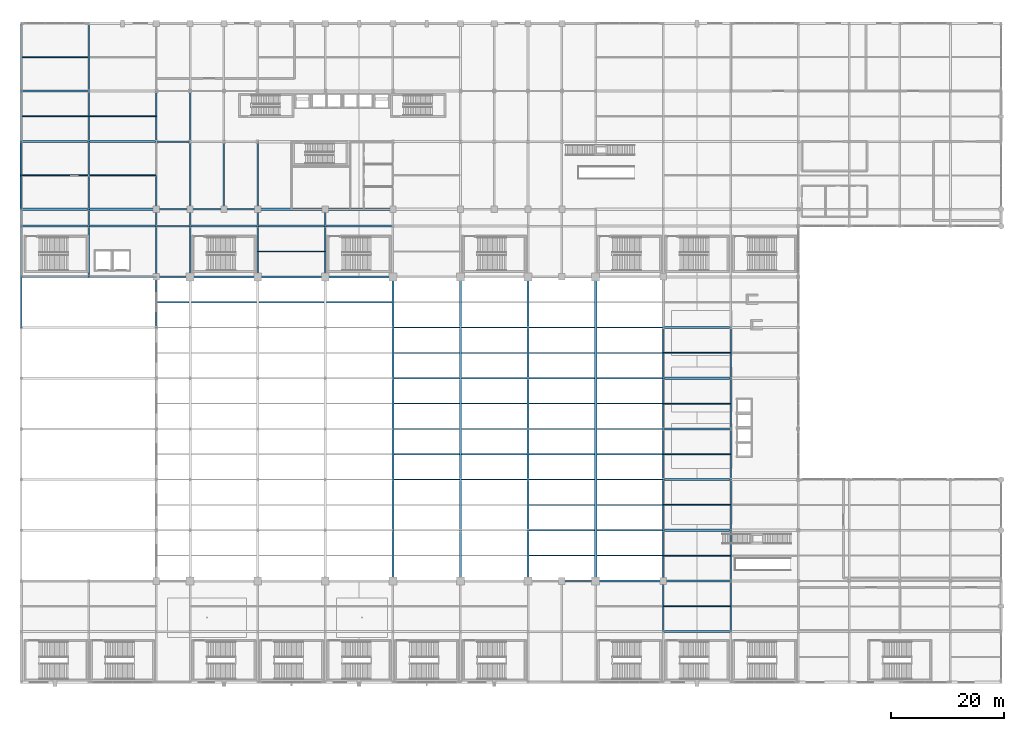
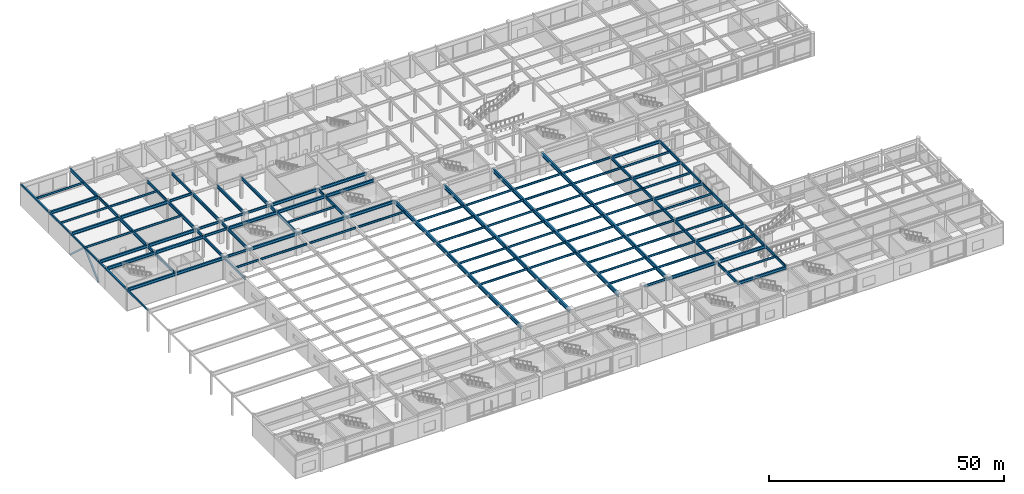
# One storey, part 28 of 105: 124 beams, 2 members.
"""IFC4 building model written with IfcOpenShell, lengths in metres."""

from ifc_helpers import new_model, si_unit, direction, frame, origin, origin_2d, place, context, subcontext, project, spatial, hollow_rectangle, i_section, extrude, material, material_profile, profile_set, type_object, element, save


model = new_model("IFC4")

# Units and contexts
model_context = context("Model", 3, precision=1e-05, world=origin(), true_north=direction((0.0, 1.0)))
body_context = subcontext(model_context, "Body", "Model", "MODEL_VIEW")
ifc_project = project(units=[si_unit("LENGTHUNIT", "METRE"), si_unit("AREAUNIT", "SQUARE_METRE"), si_unit("VOLUMEUNIT", "CUBIC_METRE"), si_unit("PLANEANGLEUNIT", "RADIAN"), si_unit("MASSUNIT", "GRAM", prefix="KILO")], contexts=[model_context])

# Site, building, storey
site_placement = place(None, origin())
site = spatial("IfcSite", under=ifc_project, at=site_placement, CompositionType="ELEMENT")
building_placement = place(site_placement, origin())
building = spatial("IfcBuilding", under=site, at=building_placement, Name="Kaldorvane Square Convention Centre", CompositionType="ELEMENT")
storey_placement = place(building_placement, frame((0.0, 0.0, 6.0)))
storey = spatial("IfcBuildingStorey", under=building, at=storey_placement, Name="L01", CompositionType="ELEMENT", Elevation=6.0)

# Beams
ifc_material_1 = material(Name="Steel ASTM A992 Gr. 50", Category="steel")
ifc_material_profile_1 = material_profile(ifc_material_1, i_section(OverallWidth=0.2303009033203125, OverallDepth=0.61749267578125, WebThickness=0.0131072998046875, FlangeThickness=0.0222015380859375, FilletRadius=0.0126953125, at=origin_2d()), Name="W24X94")
ifc_profile_set_1 = profile_set([ifc_material_profile_1], Name="Steel ASTM A992 Gr. 50")
beam_type_1 = type_object("IfcBeamType", Name="BM-GR-W24X94", PredefinedType="BEAM", material=ifc_profile_set_1)
for number, where, z_axis, x_axis, name in (
    (1, (96.0, 18.0, 5.3672943115234375), (1.0, 0.0, 0.0), (0.0, 1.0, 0.0), "Primary Girder (L01)"),
    (2, (24.0, 72.0, 5.3672943115234375), (1.0, 0.0, 0.0), (0.0, 1.0, 0.0), "Primary Girder (L01)"),
    (3, (24.0, 81.0, 5.3672943115234375), (1.0, 0.0, 0.0), (0.0, 1.0, 0.0), "Primary Girder (L01)"),
    (4, (24.0, 84.0, 5.3672943115234375), (1.0, 0.0, 0.0), (0.0, 1.0, 0.0), "Primary Girder (L01)"),
    (5, (30.0, 84.0, 5.3672943115234375), (1.0, 0.0, 0.0), (0.0, 1.0, 0.0), "Primary Girder (L01)"),
    (6, (36.0, 84.0, 5.3672943115234375), (1.0, 0.0, 0.0), (0.0, 1.0, 0.0), "Primary Girder (L01)"),
    (7, (24.0, 96.0, 5.3672943115234375), (1.0, 0.0, 0.0), (0.0, 1.0, 0.0), "Primary Girder (L01)"),
):
    element("IfcBeam", number, at=place(storey_placement, frame(where, z_axis=z_axis, x_axis=x_axis)), inside=storey, type_object=beam_type_1, Name=name, PredefinedType="BEAM", context=body_context, shape_type="SweptSolid", body=[
        extrude(i_section(OverallWidth=0.2303009033203125, OverallDepth=0.61749267578125, WebThickness=0.0131072998046875, FlangeThickness=0.0222015380859375, FilletRadius=0.0126953125, at=origin_2d()), origin(), (0.0, 0.0, 1.0), 6.0),
    ])
ifc_material_profile_2 = material_profile(ifc_material_1, i_section(OverallWidth=0.2666015625, OverallDepth=0.762298583984375, WebThickness=0.014404296875, FlangeThickness=0.0216064453125, FilletRadius=0.0164947509765625, at=origin_2d()), Name="W30X116")
ifc_profile_set_2 = profile_set([ifc_material_profile_2], Name="Steel ASTM A992 Gr. 50")
beam_type_2 = type_object("IfcBeamType", Name="BM-GR-W30X116", PredefinedType="BEAM", material=ifc_profile_set_2)
beam_1_placement = place(storey_placement, frame((12.0, 72.0, 5.2949066162109375), z_axis=(0.0, 1.0, 0.0), x_axis=(-1.0, 0.0, 0.0)))
element("IfcBeam", 8, at=beam_1_placement, inside=storey, type_object=beam_type_2, Name="Transverse Girder (L01)", PredefinedType="BEAM", context=body_context, shape_type="SweptSolid", body=[
    extrude(i_section(OverallWidth=0.2666015625, OverallDepth=0.762298583984375, WebThickness=0.014404296875, FlangeThickness=0.0216064453125, FilletRadius=0.0164947509765625, at=origin_2d()), origin(), (0.0, 0.0, 1.0), 9.0),
])
beam_2_placement = place(storey_placement, frame((12.0, 81.0, 5.2949066162109375), z_axis=(0.0, 1.0, 0.0), x_axis=(-1.0, 0.0, 0.0)))
element("IfcBeam", 9, at=beam_2_placement, inside=storey, type_object=beam_type_2, Name="Transverse Girder (L01)", PredefinedType="BEAM", context=body_context, shape_type="SweptSolid", body=[
    extrude(i_section(OverallWidth=0.2666015625, OverallDepth=0.762298583984375, WebThickness=0.014404296875, FlangeThickness=0.0216064453125, FilletRadius=0.0164947509765625, at=origin_2d()), origin(), (0.0, 0.0, 1.0), 3.0),
])
for number, where, z_axis, x_axis, name in (
    (10, (12.0, 96.0, 5.2949066162109375), (0.0, 1.0, 0.0), (-1.0, 0.0, 0.0), "Transverse Girder (L01)"),
    (11, (24.0, 63.0, 5.2949066162109375), (0.0, 1.0, 0.0), (-1.0, 0.0, 0.0), "Transverse Girder (L01)"),
    (12, (24.0, 72.0, 5.2949066162109375), (0.0, 1.0, 0.0), (-1.0, 0.0, 0.0), "Transverse Girder (L01)"),
):
    element("IfcBeam", number, at=place(storey_placement, frame(where, z_axis=z_axis, x_axis=x_axis)), inside=storey, type_object=beam_type_2, Name=name, PredefinedType="BEAM", context=body_context, shape_type="SweptSolid", body=[
        extrude(i_section(OverallWidth=0.2666015625, OverallDepth=0.762298583984375, WebThickness=0.014404296875, FlangeThickness=0.0216064453125, FilletRadius=0.0164947509765625, at=origin_2d()), origin(), (0.0, 0.0, 1.0), 9.0),
    ])
beam_3_placement = place(storey_placement, frame((24.0, 81.0, 5.2949066162109375), z_axis=(0.0, 1.0, 0.0), x_axis=(-1.0, 0.0, 0.0)))
element("IfcBeam", 13, at=beam_3_placement, inside=storey, type_object=beam_type_2, Name="Transverse Girder (L01)", PredefinedType="BEAM", context=body_context, shape_type="SweptSolid", body=[
    extrude(i_section(OverallWidth=0.2666015625, OverallDepth=0.762298583984375, WebThickness=0.014404296875, FlangeThickness=0.0216064453125, FilletRadius=0.0164947509765625, at=origin_2d()), origin(), (0.0, 0.0, 1.0), 3.0),
])
for number, where, z_axis, x_axis, name in (
    (14, (24.0, 96.0, 5.2949066162109375), (0.0, 1.0, 0.0), (-1.0, 0.0, 0.0), "Transverse Girder (L01)"),
    (15, (30.0, 72.0, 5.2949066162109375), (0.0, 1.0, 0.0), (-1.0, 0.0, 0.0), "Transverse Girder (L01)"),
):
    element("IfcBeam", number, at=place(storey_placement, frame(where, z_axis=z_axis, x_axis=x_axis)), inside=storey, type_object=beam_type_2, Name=name, PredefinedType="BEAM", context=body_context, shape_type="SweptSolid", body=[
        extrude(i_section(OverallWidth=0.2666015625, OverallDepth=0.762298583984375, WebThickness=0.014404296875, FlangeThickness=0.0216064453125, FilletRadius=0.0164947509765625, at=origin_2d()), origin(), (0.0, 0.0, 1.0), 9.0),
    ])
beam_4_placement = place(storey_placement, frame((30.0, 81.0, 5.2949066162109375), z_axis=(0.0, 1.0, 0.0), x_axis=(-1.0, 0.0, 0.0)))
element("IfcBeam", 16, at=beam_4_placement, inside=storey, type_object=beam_type_2, Name="Transverse Girder (L01)", PredefinedType="BEAM", context=body_context, shape_type="SweptSolid", body=[
    extrude(i_section(OverallWidth=0.2666015625, OverallDepth=0.762298583984375, WebThickness=0.014404296875, FlangeThickness=0.0216064453125, FilletRadius=0.0164947509765625, at=origin_2d()), origin(), (0.0, 0.0, 1.0), 3.0),
])
for number, where, z_axis, x_axis, name in (
    (17, (30.0, 96.0, 5.2949066162109375), (0.0, 1.0, 0.0), (-1.0, 0.0, 0.0), "Transverse Girder (L01)"),
    (18, (42.0, 72.0, 5.2949066162109375), (0.0, 1.0, 0.0), (-1.0, 0.0, 0.0), "Transverse Girder (L01)"),
):
    element("IfcBeam", number, at=place(storey_placement, frame(where, z_axis=z_axis, x_axis=x_axis)), inside=storey, type_object=beam_type_2, Name=name, PredefinedType="BEAM", context=body_context, shape_type="SweptSolid", body=[
        extrude(i_section(OverallWidth=0.2666015625, OverallDepth=0.762298583984375, WebThickness=0.014404296875, FlangeThickness=0.0216064453125, FilletRadius=0.0164947509765625, at=origin_2d()), origin(), (0.0, 0.0, 1.0), 9.0),
    ])
beam_5_placement = place(storey_placement, frame((42.0, 81.0, 5.2949066162109375), z_axis=(0.0, 1.0, 0.0), x_axis=(-1.0, 0.0, 0.0)))
element("IfcBeam", 19, at=beam_5_placement, inside=storey, type_object=beam_type_2, Name="Transverse Girder (L01)", PredefinedType="BEAM", context=body_context, shape_type="SweptSolid", body=[
    extrude(i_section(OverallWidth=0.2666015625, OverallDepth=0.762298583984375, WebThickness=0.014404296875, FlangeThickness=0.0216064453125, FilletRadius=0.0164947509765625, at=origin_2d()), origin(), (0.0, 0.0, 1.0), 3.0),
])
beam_6_placement = place(storey_placement, frame((54.0, 72.0, 5.2949066162109375), z_axis=(0.0, 1.0, 0.0), x_axis=(-1.0, 0.0, 0.0)))
element("IfcBeam", 20, at=beam_6_placement, inside=storey, type_object=beam_type_2, Name="Transverse Girder (L01)", PredefinedType="BEAM", context=body_context, shape_type="SweptSolid", body=[
    extrude(i_section(OverallWidth=0.2666015625, OverallDepth=0.762298583984375, WebThickness=0.014404296875, FlangeThickness=0.0216064453125, FilletRadius=0.0164947509765625, at=origin_2d()), origin(), (0.0, 0.0, 1.0), 9.0),
])
beam_7_placement = place(storey_placement, frame((54.0, 81.0, 5.2949066162109375), z_axis=(0.0, 1.0, 0.0), x_axis=(-1.0, 0.0, 0.0)))
element("IfcBeam", 21, at=beam_7_placement, inside=storey, type_object=beam_type_2, Name="Transverse Girder (L01)", PredefinedType="BEAM", context=body_context, shape_type="SweptSolid", body=[
    extrude(i_section(OverallWidth=0.2666015625, OverallDepth=0.762298583984375, WebThickness=0.014404296875, FlangeThickness=0.0216064453125, FilletRadius=0.0164947509765625, at=origin_2d()), origin(), (0.0, 0.0, 1.0), 3.0),
])
for number, where, z_axis, x_axis, name in (
    (22, (114.0, 9.0, 5.2949066162109375), (0.0, 1.0, 0.0), (-1.0, 0.0, 0.0), "Transverse Girder (L01)"),
    (23, (114.0, 18.0, 5.2949066162109375), (0.0, 1.0, 0.0), (-1.0, 0.0, 0.0), "Transverse Girder (L01)"),
    (24, (114.0, 27.0, 5.2949066162109375), (0.0, 1.0, 0.0), (-1.0, 0.0, 0.0), "Transverse Girder (L01)"),
    (25, (114.0, 36.0, 5.2949066162109375), (0.0, 1.0, 0.0), (-1.0, 0.0, 0.0), "Transverse Girder (L01)"),
    (26, (114.0, 45.0, 5.2949066162109375), (0.0, 1.0, 0.0), (-1.0, 0.0, 0.0), "Transverse Girder (L01)"),
    (27, (114.0, 54.0, 5.2949066162109375), (0.0, 1.0, 0.0), (-1.0, 0.0, 0.0), "Transverse Girder (L01)"),
    (28, (126.0, 9.0, 5.2949066162109375), (0.0, 1.0, 0.0), (-1.0, 0.0, 0.0), "Transverse Girder (L01)"),
    (29, (126.0, 18.0, 5.2949066162109375), (0.0, 1.0, 0.0), (-1.0, 0.0, 0.0), "Transverse Girder (L01)"),
    (30, (126.0, 27.0, 5.2949066162109375), (0.0, 1.0, 0.0), (-1.0, 0.0, 0.0), "Transverse Girder (L01)"),
    (31, (126.0, 36.0, 5.2949066162109375), (0.0, 1.0, 0.0), (-1.0, 0.0, 0.0), "Transverse Girder (L01)"),
    (32, (126.0, 45.0, 5.2949066162109375), (0.0, 1.0, 0.0), (-1.0, 0.0, 0.0), "Transverse Girder (L01)"),
    (33, (126.0, 54.0, 5.2949066162109375), (0.0, 1.0, 0.0), (-1.0, 0.0, 0.0), "Transverse Girder (L01)"),
):
    element("IfcBeam", number, at=place(storey_placement, frame(where, z_axis=z_axis, x_axis=x_axis)), inside=storey, type_object=beam_type_2, Name=name, PredefinedType="BEAM", context=body_context, shape_type="SweptSolid", body=[
        extrude(i_section(OverallWidth=0.2666015625, OverallDepth=0.762298583984375, WebThickness=0.014404296875, FlangeThickness=0.0216064453125, FilletRadius=0.0164947509765625, at=origin_2d()), origin(), (0.0, 0.0, 1.0), 9.0),
    ])
ifc_material_profile_3 = material_profile(ifc_material_1, i_section(OverallWidth=0.380706787109375, OverallDepth=0.773193359375, WebThickness=0.0166015625, FlangeThickness=0.027099609375, FilletRadius=0.0164947509765625, at=origin_2d()), Name="W30X173")
ifc_profile_set_3 = profile_set([ifc_material_profile_3], Name="Steel ASTM A992 Gr. 50")
beam_type_3 = type_object("IfcBeamType", Name="BM-GR-W30X173", PredefinedType="BEAM", material=ifc_profile_set_3)
for number, where, z_axis, x_axis, name in (
    (34, (114.0, 9.0, 5.289398193359375), (1.0, 0.0, 0.0), (0.0, 1.0, 0.0), "Primary Girder (L01)"),
    (35, (102.0, 18.0, 5.289398193359375), (1.0, 0.0, 0.0), (0.0, 1.0, 0.0), "Primary Girder (L01)"),
    (36, (114.0, 18.0, 5.289398193359375), (1.0, 0.0, 0.0), (0.0, 1.0, 0.0), "Primary Girder (L01)"),
    (37, (114.0, 27.0, 5.289398193359375), (1.0, 0.0, 0.0), (0.0, 1.0, 0.0), "Primary Girder (L01)"),
    (38, (114.0, 36.0, 5.289398193359375), (1.0, 0.0, 0.0), (0.0, 1.0, 0.0), "Primary Girder (L01)"),
    (39, (114.0, 45.0, 5.289398193359375), (1.0, 0.0, 0.0), (0.0, 1.0, 0.0), "Primary Girder (L01)"),
    (40, (114.0, 54.0, 5.289398193359375), (1.0, 0.0, 0.0), (0.0, 1.0, 0.0), "Primary Girder (L01)"),
    (41, (114.0, 63.0, 5.289398193359375), (1.0, 0.0, 0.0), (0.0, 1.0, 0.0), "Primary Girder (L01)"),
    (42, (0.0, 72.0, 5.289398193359375), (1.0, 0.0, 0.0), (0.0, 1.0, 0.0), "Primary Girder (L01)"),
    (43, (12.0, 72.0, 5.289398193359375), (1.0, 0.0, 0.0), (0.0, 1.0, 0.0), "Primary Girder (L01)"),
    (44, (30.0, 72.0, 5.289398193359375), (1.0, 0.0, 0.0), (0.0, 1.0, 0.0), "Primary Girder (L01)"),
    (45, (42.0, 72.0, 5.289398193359375), (1.0, 0.0, 0.0), (0.0, 1.0, 0.0), "Primary Girder (L01)"),
    (46, (54.0, 72.0, 5.289398193359375), (1.0, 0.0, 0.0), (0.0, 1.0, 0.0), "Primary Girder (L01)"),
    (47, (0.0, 81.0, 5.289398193359375), (1.0, 0.0, 0.0), (0.0, 1.0, 0.0), "Primary Girder (L01)"),
    (48, (12.0, 81.0, 5.289398193359375), (1.0, 0.0, 0.0), (0.0, 1.0, 0.0), "Primary Girder (L01)"),
    (49, (30.0, 81.0, 5.289398193359375), (1.0, 0.0, 0.0), (0.0, 1.0, 0.0), "Primary Girder (L01)"),
    (50, (42.0, 81.0, 5.289398193359375), (1.0, 0.0, 0.0), (0.0, 1.0, 0.0), "Primary Girder (L01)"),
    (51, (54.0, 81.0, 5.289398193359375), (1.0, 0.0, 0.0), (0.0, 1.0, 0.0), "Primary Girder (L01)"),
    (52, (0.0, 84.0, 5.289398193359375), (1.0, 0.0, 0.0), (0.0, 1.0, 0.0), "Primary Girder (L01)"),
    (53, (12.0, 84.0, 5.289398193359375), (1.0, 0.0, 0.0), (0.0, 1.0, 0.0), "Primary Girder (L01)"),
    (54, (42.0, 84.0, 5.289398193359375), (1.0, 0.0, 0.0), (0.0, 1.0, 0.0), "Primary Girder (L01)"),
    (55, (54.0, 84.0, 5.289398193359375), (1.0, 0.0, 0.0), (0.0, 1.0, 0.0), "Primary Girder (L01)"),
    (56, (0.0, 96.0, 5.289398193359375), (1.0, 0.0, 0.0), (0.0, 1.0, 0.0), "Primary Girder (L01)"),
    (57, (12.0, 96.0, 5.289398193359375), (1.0, 0.0, 0.0), (0.0, 1.0, 0.0), "Primary Girder (L01)"),
    (58, (0.0, 105.0, 5.289398193359375), (1.0, 0.0, 0.0), (0.0, 1.0, 0.0), "Primary Girder (L01)"),
):
    element("IfcBeam", number, at=place(storey_placement, frame(where, z_axis=z_axis, x_axis=x_axis)), inside=storey, type_object=beam_type_3, Name=name, PredefinedType="BEAM", context=body_context, shape_type="SweptSolid", body=[
        extrude(i_section(OverallWidth=0.380706787109375, OverallDepth=0.773193359375, WebThickness=0.0166015625, FlangeThickness=0.027099609375, FilletRadius=0.0164947509765625, at=origin_2d()), origin(), (0.0, 0.0, 1.0), 12.0),
    ])
ifc_material_profile_4 = material_profile(ifc_material_1, i_section(OverallWidth=0.292999267578125, OverallDepth=0.845794677734375, WebThickness=0.0153961181640625, FlangeThickness=0.0243988037109375, FilletRadius=0.0178070068359375, at=origin_2d()), Name="W33X141")
ifc_profile_set_4 = profile_set([ifc_material_profile_4], Name="Steel ASTM A992 Gr. 50")
beam_type_4 = type_object("IfcBeamType", Name="BM-GR-W33X141", PredefinedType="BEAM", material=ifc_profile_set_4)
for number, where, z_axis, x_axis, name in (
    (59, (12.0, 84.0, 5.2530975341796875), (0.0, 1.0, 0.0), (-1.0, 0.0, 0.0), "Transverse Girder (L01)"),
    (60, (12.0, 105.0, 5.2530975341796875), (0.0, 1.0, 0.0), (-1.0, 0.0, 0.0), "Transverse Girder (L01)"),
    (61, (24.0, 84.0, 5.2530975341796875), (0.0, 1.0, 0.0), (-1.0, 0.0, 0.0), "Transverse Girder (L01)"),
    (62, (30.0, 84.0, 5.2530975341796875), (0.0, 1.0, 0.0), (-1.0, 0.0, 0.0), "Transverse Girder (L01)"),
    (63, (36.0, 84.0, 5.2530975341796875), (0.0, 1.0, 0.0), (-1.0, 0.0, 0.0), "Transverse Girder (L01)"),
    (64, (42.0, 84.0, 5.2530975341796875), (0.0, 1.0, 0.0), (-1.0, 0.0, 0.0), "Transverse Girder (L01)"),
):
    element("IfcBeam", number, at=place(storey_placement, frame(where, z_axis=z_axis, x_axis=x_axis)), inside=storey, type_object=beam_type_4, Name=name, PredefinedType="BEAM", context=body_context, shape_type="SweptSolid", body=[
        extrude(i_section(OverallWidth=0.292999267578125, OverallDepth=0.845794677734375, WebThickness=0.0153961181640625, FlangeThickness=0.0243988037109375, FilletRadius=0.0178070068359375, at=origin_2d()), origin(), (0.0, 0.0, 1.0), 12.0),
    ])
ifc_material_profile_5 = material_profile(ifc_material_1, i_section(OverallWidth=0.1658935546875, OverallDepth=0.5290985107421875, WebThickness=0.00970458984375, FlangeThickness=0.0135955810546875, FilletRadius=0.0126953125, at=origin_2d()), Name="W21X50")
ifc_profile_set_5 = profile_set([ifc_material_profile_5], Name="Steel ASTM A992 Gr. 50")
beam_type_5 = type_object("IfcBeamType", Name="BM-JS-W21X50", PredefinedType="JOIST", material=ifc_profile_set_5)
for number, where, z_axis, x_axis, name in (
    (65, (114.13330078125, 13.5, 5.4114990234375), (1.0, 0.0, 0.0), (0.0, 1.0, 0.0), "Secondary Floor Joist (L01)"),
    (66, (114.13330078125, 22.5, 5.4114990234375), (1.0, 0.0, 0.0), (0.0, 1.0, 0.0), "Secondary Floor Joist (L01)"),
    (67, (114.13330078125, 31.5, 5.4114990234375), (1.0, 0.0, 0.0), (0.0, 1.0, 0.0), "Secondary Floor Joist (L01)"),
    (68, (114.13330078125, 40.5, 5.4114990234375), (1.0, 0.0, 0.0), (0.0, 1.0, 0.0), "Secondary Floor Joist (L01)"),
    (69, (114.13330078125, 49.5, 5.4114990234375), (1.0, 0.0, 0.0), (0.0, 1.0, 0.0), "Secondary Floor Joist (L01)"),
    (70, (114.13330078125, 58.5, 5.4114990234375), (1.0, 0.0, 0.0), (0.0, 1.0, 0.0), "Secondary Floor Joist (L01)"),
    (71, (42.13330078125, 76.5, 5.4114990234375), (1.0, 0.0, 0.0), (0.0, 1.0, 0.0), "Secondary Floor Joist (L01)"),
):
    element("IfcBeam", number, at=place(storey_placement, frame(where, z_axis=z_axis, x_axis=x_axis)), inside=storey, type_object=beam_type_5, Name=name, PredefinedType="JOIST", context=body_context, shape_type="SweptSolid", body=[
        extrude(i_section(OverallWidth=0.1658935546875, OverallDepth=0.5290985107421875, WebThickness=0.00970458984375, FlangeThickness=0.0135955810546875, FilletRadius=0.0126953125, at=origin_2d()), origin(), (0.0, 0.0, 1.0), 11.7333984375),
    ])
beam_8_placement = place(storey_placement, frame((0.15240478515625, 90.0, 5.4114990234375), z_axis=(1.0, 0.0, 0.0), x_axis=(0.0, 1.0, 0.0)))
element("IfcBeam", 72, at=beam_8_placement, inside=storey, type_object=beam_type_5, Name="Secondary Floor Joist (L01)", PredefinedType="JOIST", context=body_context, shape_type="SweptSolid", body=[
    extrude(i_section(OverallWidth=0.1658935546875, OverallDepth=0.5290985107421875, WebThickness=0.00970458984375, FlangeThickness=0.0135955810546875, FilletRadius=0.0126953125, at=origin_2d()), origin(), (0.0, 0.0, 1.0), 11.701095581054688),
])
beam_9_placement = place(storey_placement, frame((12.146499633789062, 90.0, 5.4114990234375), z_axis=(1.0, 0.0, 0.0), x_axis=(0.0, 1.0, 0.0)))
element("IfcBeam", 73, at=beam_9_placement, inside=storey, type_object=beam_type_5, Name="Secondary Floor Joist (L01)", PredefinedType="JOIST", context=body_context, shape_type="SweptSolid", body=[
    extrude(i_section(OverallWidth=0.1658935546875, OverallDepth=0.5290985107421875, WebThickness=0.00970458984375, FlangeThickness=0.0135955810546875, FilletRadius=0.0126953125, at=origin_2d()), origin(), (0.0, 0.0, 1.0), 11.707000732421875),
])
beam_10_placement = place(storey_placement, frame((0.15240478515625, 100.5, 5.4114990234375), z_axis=(1.0, 0.0, 0.0), x_axis=(0.0, 1.0, 0.0)))
element("IfcBeam", 74, at=beam_10_placement, inside=storey, type_object=beam_type_5, Name="Secondary Floor Joist (L01)", PredefinedType="JOIST", context=body_context, shape_type="SweptSolid", body=[
    extrude(i_section(OverallWidth=0.1658935546875, OverallDepth=0.5290985107421875, WebThickness=0.00970458984375, FlangeThickness=0.0135955810546875, FilletRadius=0.0126953125, at=origin_2d()), origin(), (0.0, 0.0, 1.0), 11.71429443359375),
])
beam_11_placement = place(storey_placement, frame((12.13330078125, 100.5, 5.4114990234375), z_axis=(1.0, 0.0, 0.0), x_axis=(0.0, 1.0, 0.0)))
element("IfcBeam", 75, at=beam_11_placement, inside=storey, type_object=beam_type_5, Name="Secondary Floor Joist (L01)", PredefinedType="JOIST", context=body_context, shape_type="SweptSolid", body=[
    extrude(i_section(OverallWidth=0.1658935546875, OverallDepth=0.5290985107421875, WebThickness=0.00970458984375, FlangeThickness=0.0135955810546875, FilletRadius=0.0126953125, at=origin_2d()), origin(), (0.0, 0.0, 1.0), 11.7333984375),
])
beam_12_placement = place(storey_placement, frame((0.15240478515625, 111.0, 5.4114990234375), z_axis=(1.0, 0.0, 0.0), x_axis=(0.0, 1.0, 0.0)))
element("IfcBeam", 76, at=beam_12_placement, inside=storey, type_object=beam_type_5, Name="Secondary Floor Joist (L01)", PredefinedType="JOIST", context=body_context, shape_type="SweptSolid", body=[
    extrude(i_section(OverallWidth=0.1658935546875, OverallDepth=0.5290985107421875, WebThickness=0.00970458984375, FlangeThickness=0.0135955810546875, FilletRadius=0.0126953125, at=origin_2d()), origin(), (0.0, 0.0, 1.0), 11.701095581054688),
])
ifc_material_profile_6 = material_profile(ifc_material_1, i_section(OverallWidth=0.2100982666015625, OverallDepth=0.5366973876953125, WebThickness=0.010894775390625, FlangeThickness=0.01739501953125, FilletRadius=0.0126953125, at=origin_2d()), Name="W21X68")
ifc_profile_set_6 = profile_set([ifc_material_profile_6], Name="Steel ASTM A992 Gr. 50")
beam_type_6 = type_object("IfcBeamType", Name="BM-JS-W21X68", PredefinedType="JOIST", material=ifc_profile_set_6)
beam_13_placement = place(storey_placement, frame((24.13330078125, 67.5, 5.4076995849609375), z_axis=(1.0, 0.0, 0.0), x_axis=(0.0, 1.0, 0.0)))
element("IfcBeam", 77, at=beam_13_placement, inside=storey, type_object=beam_type_6, Name="Hall Composite Floor Joist (L01)", PredefinedType="JOIST", context=body_context, shape_type="SweptSolid", body=[
    extrude(i_section(OverallWidth=0.2100982666015625, OverallDepth=0.5366973876953125, WebThickness=0.010894775390625, FlangeThickness=0.01739501953125, FilletRadius=0.0126953125, at=origin_2d()), origin(), (0.0, 0.0, 1.0), 5.665802001953125),
])
for number, where, z_axis, x_axis, name in (
    (78, (30.200897216796875, 67.5, 5.4076995849609375), (1.0, 0.0, 0.0), (0.0, 1.0, 0.0), "Hall Composite Floor Joist (L01)"),
    (79, (42.200897216796875, 67.5, 5.4076995849609375), (1.0, 0.0, 0.0), (0.0, 1.0, 0.0), "Hall Composite Floor Joist (L01)"),
):
    element("IfcBeam", number, at=place(storey_placement, frame(where, z_axis=z_axis, x_axis=x_axis)), inside=storey, type_object=beam_type_6, Name=name, PredefinedType="JOIST", context=body_context, shape_type="SweptSolid", body=[
        extrude(i_section(OverallWidth=0.2100982666015625, OverallDepth=0.5366973876953125, WebThickness=0.010894775390625, FlangeThickness=0.01739501953125, FilletRadius=0.0126953125, at=origin_2d()), origin(), (0.0, 0.0, 1.0), 11.59820556640625),
    ])
beam_14_placement = place(storey_placement, frame((54.200897216796875, 67.5, 5.4076995849609375), z_axis=(1.0, 0.0, 0.0), x_axis=(0.0, 1.0, 0.0)))
element("IfcBeam", 80, at=beam_14_placement, inside=storey, type_object=beam_type_6, Name="Hall Composite Floor Joist (L01)", PredefinedType="JOIST", context=body_context, shape_type="SweptSolid", body=[
    extrude(i_section(OverallWidth=0.2100982666015625, OverallDepth=0.5366973876953125, WebThickness=0.010894775390625, FlangeThickness=0.01739501953125, FilletRadius=0.0126953125, at=origin_2d()), origin(), (0.0, 0.0, 1.0), 11.598098754882812),
])
for number, where, z_axis, x_axis, name in (
    (81, (66.20100402832031, 36.0, 5.4076995849609375), (1.0, 0.0, 0.0), (0.0, 1.0, 0.0), "Hall Composite Floor Joist (L01)"),
    (82, (66.20100402832031, 40.5, 5.4076995849609375), (1.0, 0.0, 0.0), (0.0, 1.0, 0.0), "Hall Composite Floor Joist (L01)"),
    (83, (66.20100402832031, 45.0, 5.4076995849609375), (1.0, 0.0, 0.0), (0.0, 1.0, 0.0), "Hall Composite Floor Joist (L01)"),
    (84, (66.20100402832031, 49.5, 5.4076995849609375), (1.0, 0.0, 0.0), (0.0, 1.0, 0.0), "Hall Composite Floor Joist (L01)"),
    (85, (66.20100402832031, 54.0, 5.4076995849609375), (1.0, 0.0, 0.0), (0.0, 1.0, 0.0), "Hall Composite Floor Joist (L01)"),
    (86, (66.20100402832031, 58.5, 5.4076995849609375), (1.0, 0.0, 0.0), (0.0, 1.0, 0.0), "Hall Composite Floor Joist (L01)"),
    (87, (66.20100402832031, 63.0, 5.4076995849609375), (1.0, 0.0, 0.0), (0.0, 1.0, 0.0), "Hall Composite Floor Joist (L01)"),
    (88, (78.20100402832031, 36.0, 5.4076995849609375), (1.0, 0.0, 0.0), (0.0, 1.0, 0.0), "Hall Composite Floor Joist (L01)"),
    (89, (78.20100402832031, 40.5, 5.4076995849609375), (1.0, 0.0, 0.0), (0.0, 1.0, 0.0), "Hall Composite Floor Joist (L01)"),
    (90, (78.20100402832031, 45.0, 5.4076995849609375), (1.0, 0.0, 0.0), (0.0, 1.0, 0.0), "Hall Composite Floor Joist (L01)"),
    (91, (78.20100402832031, 49.5, 5.4076995849609375), (1.0, 0.0, 0.0), (0.0, 1.0, 0.0), "Hall Composite Floor Joist (L01)"),
    (92, (78.20100402832031, 54.0, 5.4076995849609375), (1.0, 0.0, 0.0), (0.0, 1.0, 0.0), "Hall Composite Floor Joist (L01)"),
    (93, (78.20100402832031, 58.5, 5.4076995849609375), (1.0, 0.0, 0.0), (0.0, 1.0, 0.0), "Hall Composite Floor Joist (L01)"),
    (94, (78.20100402832031, 63.0, 5.4076995849609375), (1.0, 0.0, 0.0), (0.0, 1.0, 0.0), "Hall Composite Floor Joist (L01)"),
    (95, (90.20100402832031, 22.5, 5.4076995849609375), (1.0, 0.0, 0.0), (0.0, 1.0, 0.0), "Hall Composite Floor Joist (L01)"),
    (96, (90.20100402832031, 27.0, 5.4076995849609375), (1.0, 0.0, 0.0), (0.0, 1.0, 0.0), "Hall Composite Floor Joist (L01)"),
    (97, (90.20100402832031, 31.5, 5.4076995849609375), (1.0, 0.0, 0.0), (0.0, 1.0, 0.0), "Hall Composite Floor Joist (L01)"),
    (98, (90.20100402832031, 36.0, 5.4076995849609375), (1.0, 0.0, 0.0), (0.0, 1.0, 0.0), "Hall Composite Floor Joist (L01)"),
    (99, (90.20100402832031, 40.5, 5.4076995849609375), (1.0, 0.0, 0.0), (0.0, 1.0, 0.0), "Hall Composite Floor Joist (L01)"),
    (100, (90.20100402832031, 45.0, 5.4076995849609375), (1.0, 0.0, 0.0), (0.0, 1.0, 0.0), "Hall Composite Floor Joist (L01)"),
    (101, (90.20100402832031, 49.5, 5.4076995849609375), (1.0, 0.0, 0.0), (0.0, 1.0, 0.0), "Hall Composite Floor Joist (L01)"),
    (102, (90.20100402832031, 54.0, 5.4076995849609375), (1.0, 0.0, 0.0), (0.0, 1.0, 0.0), "Hall Composite Floor Joist (L01)"),
    (103, (90.20100402832031, 58.5, 5.4076995849609375), (1.0, 0.0, 0.0), (0.0, 1.0, 0.0), "Hall Composite Floor Joist (L01)"),
    (104, (90.20100402832031, 63.0, 5.4076995849609375), (1.0, 0.0, 0.0), (0.0, 1.0, 0.0), "Hall Composite Floor Joist (L01)"),
):
    element("IfcBeam", number, at=place(storey_placement, frame(where, z_axis=z_axis, x_axis=x_axis)), inside=storey, type_object=beam_type_6, Name=name, PredefinedType="JOIST", context=body_context, shape_type="SweptSolid", body=[
        extrude(i_section(OverallWidth=0.2100982666015625, OverallDepth=0.5366973876953125, WebThickness=0.010894775390625, FlangeThickness=0.01739501953125, FilletRadius=0.0126953125, at=origin_2d()), origin(), (0.0, 0.0, 1.0), 11.597991943359375),
    ])
for number, where, z_axis, x_axis, name in (
    (105, (102.20100402832031, 22.5, 5.4076995849609375), (1.0, 0.0, 0.0), (0.0, 1.0, 0.0), "Hall Composite Floor Joist (L01)"),
    (106, (102.20100402832031, 27.0, 5.4076995849609375), (1.0, 0.0, 0.0), (0.0, 1.0, 0.0), "Hall Composite Floor Joist (L01)"),
    (107, (102.20100402832031, 31.5, 5.4076995849609375), (1.0, 0.0, 0.0), (0.0, 1.0, 0.0), "Hall Composite Floor Joist (L01)"),
    (108, (102.20100402832031, 36.0, 5.4076995849609375), (1.0, 0.0, 0.0), (0.0, 1.0, 0.0), "Hall Composite Floor Joist (L01)"),
    (109, (102.20100402832031, 40.5, 5.4076995849609375), (1.0, 0.0, 0.0), (0.0, 1.0, 0.0), "Hall Composite Floor Joist (L01)"),
    (110, (102.20100402832031, 45.0, 5.4076995849609375), (1.0, 0.0, 0.0), (0.0, 1.0, 0.0), "Hall Composite Floor Joist (L01)"),
    (111, (102.20100402832031, 49.5, 5.4076995849609375), (1.0, 0.0, 0.0), (0.0, 1.0, 0.0), "Hall Composite Floor Joist (L01)"),
    (112, (102.20100402832031, 54.0, 5.4076995849609375), (1.0, 0.0, 0.0), (0.0, 1.0, 0.0), "Hall Composite Floor Joist (L01)"),
    (113, (102.20100402832031, 58.5, 5.4076995849609375), (1.0, 0.0, 0.0), (0.0, 1.0, 0.0), "Hall Composite Floor Joist (L01)"),
    (114, (102.20100402832031, 63.0, 5.4076995849609375), (1.0, 0.0, 0.0), (0.0, 1.0, 0.0), "Hall Composite Floor Joist (L01)"),
):
    element("IfcBeam", number, at=place(storey_placement, frame(where, z_axis=z_axis, x_axis=x_axis)), inside=storey, type_object=beam_type_6, Name=name, PredefinedType="JOIST", context=body_context, shape_type="SweptSolid", body=[
        extrude(i_section(OverallWidth=0.2100982666015625, OverallDepth=0.5366973876953125, WebThickness=0.010894775390625, FlangeThickness=0.01739501953125, FilletRadius=0.0126953125, at=origin_2d()), origin(), (0.0, 0.0, 1.0), 11.665695190429688),
    ])
ifc_material_2 = material(Name="Steel ASTM A500 Gr. C", Category="steel")
ifc_material_profile_7 = material_profile(ifc_material_2, hollow_rectangle(XDim=0.3047943115234375, YDim=0.406402587890625, WallThickness=0.0117950439453125, at=origin_2d()), Name="HSS16X12X1/2")
ifc_profile_set_7 = profile_set([ifc_material_profile_7], Name="Steel ASTM A500 Gr. C")
beam_type_7 = type_object("IfcBeamType", Name="BM-SP-HSS16", PredefinedType="SPANDREL", material=ifc_profile_set_7)
for number, where, z_axis, x_axis, name in (
    (115, (0.0, 63.0, 5.4727935791015625), (0.0, 1.0, 0.0), (-1.0, 0.0, 0.0), "End Spandrel (L01)"),
    (116, (0.0, 72.0, 5.4727935791015625), (0.0, 1.0, 0.0), (-1.0, 0.0, 0.0), "End Spandrel (L01)"),
):
    element("IfcBeam", number, at=place(storey_placement, frame(where, z_axis=z_axis, x_axis=x_axis)), inside=storey, type_object=beam_type_7, Name=name, PredefinedType="SPANDREL", context=body_context, shape_type="SweptSolid", body=[
        extrude(hollow_rectangle(XDim=0.3047943115234375, YDim=0.406402587890625, WallThickness=0.0117950439453125, at=origin_2d()), origin(), (0.0, 0.0, 1.0), 9.0),
    ])
beam_15_placement = place(storey_placement, frame((0.0, 81.0, 5.4727935791015625), z_axis=(0.0, 1.0, 0.0), x_axis=(-1.0, 0.0, 0.0)))
element("IfcBeam", 117, at=beam_15_placement, inside=storey, type_object=beam_type_7, Name="End Spandrel (L01)", PredefinedType="SPANDREL", context=body_context, shape_type="SweptSolid", body=[
    extrude(hollow_rectangle(XDim=0.3047943115234375, YDim=0.406402587890625, WallThickness=0.0117950439453125, at=origin_2d()), origin(), (0.0, 0.0, 1.0), 3.0),
])
beam_16_placement = place(storey_placement, frame((0.0, 84.0, 5.4727935791015625), z_axis=(0.0, 1.0, 0.0), x_axis=(-1.0, 0.0, 0.0)))
element("IfcBeam", 118, at=beam_16_placement, inside=storey, type_object=beam_type_7, Name="End Spandrel (L01)", PredefinedType="SPANDREL", context=body_context, shape_type="SweptSolid", body=[
    extrude(hollow_rectangle(XDim=0.3047943115234375, YDim=0.406402587890625, WallThickness=0.0117950439453125, at=origin_2d()), origin(), (0.0, 0.0, 1.0), 12.0),
])
beam_17_placement = place(storey_placement, frame((0.0, 96.0, 5.4727935791015625), z_axis=(0.0, 1.0, 0.0), x_axis=(-1.0, 0.0, 0.0)))
element("IfcBeam", 119, at=beam_17_placement, inside=storey, type_object=beam_type_7, Name="End Spandrel (L01)", PredefinedType="SPANDREL", context=body_context, shape_type="SweptSolid", body=[
    extrude(hollow_rectangle(XDim=0.3047943115234375, YDim=0.406402587890625, WallThickness=0.0117950439453125, at=origin_2d()), origin(), (0.0, 0.0, 1.0), 9.0),
])
beam_18_placement = place(storey_placement, frame((0.0, 105.0, 5.4727935791015625), z_axis=(0.0, 1.0, 0.0), x_axis=(-1.0, 0.0, 0.0)))
element("IfcBeam", 120, at=beam_18_placement, inside=storey, type_object=beam_type_7, Name="End Spandrel (L01)", PredefinedType="SPANDREL", context=body_context, shape_type="SweptSolid", body=[
    extrude(hollow_rectangle(XDim=0.3047943115234375, YDim=0.406402587890625, WallThickness=0.0117950439453125, at=origin_2d()), origin(), (0.0, 0.0, 1.0), 12.0),
])
ifc_material_profile_8 = material_profile(ifc_material_1, i_section(OverallWidth=0.4019012451171875, OverallDepth=1.01190185546875, WebThickness=0.0236053466796875, FlangeThickness=0.041900634765625, FilletRadius=0.0305023193359375, at=origin_2d()), Name="W40X297")
ifc_profile_set_8 = profile_set([ifc_material_profile_8], Name="Steel ASTM A992 Gr. 50")
beam_type_8 = type_object("IfcBeamType", Name="BM-TG-W40X297", PredefinedType="USERDEFINED", material=ifc_profile_set_8)
for number, where, z_axis, x_axis, name in (
    (121, (66.0, 18.0, 5.1699981689453125), (0.0, 1.0, 0.0), (-1.0, 0.0, 0.0), "Exhibition Hall Ceiling Girder HG-04"),
    (122, (78.0, 18.0, 5.1699981689453125), (0.0, 1.0, 0.0), (-1.0, 0.0, 0.0), "Exhibition Hall Ceiling Girder HG-05"),
    (123, (90.0, 18.0, 5.1699981689453125), (0.0, 1.0, 0.0), (-1.0, 0.0, 0.0), "Exhibition Hall Ceiling Girder HG-06"),
    (124, (102.0, 18.0, 5.1699981689453125), (0.0, 1.0, 0.0), (-1.0, 0.0, 0.0), "Exhibition Hall Ceiling Girder HG-07"),
):
    element("IfcBeam", number, at=place(storey_placement, frame(where, z_axis=z_axis, x_axis=x_axis)), inside=storey, type_object=beam_type_8, Name=name, ObjectType="TRANSFER GIRDER", PredefinedType="USERDEFINED", context=body_context, shape_type="SweptSolid", body=[
        extrude(i_section(OverallWidth=0.4019012451171875, OverallDepth=1.01190185546875, WebThickness=0.0236053466796875, FlangeThickness=0.041900634765625, FilletRadius=0.0305023193359375, at=origin_2d()), origin(), (0.0, 0.0, 1.0), 54.0),
    ])

# Members
ifc_material_profile_9 = material_profile(ifc_material_2, hollow_rectangle(XDim=0.3556060791015625, YDim=0.3556060791015625, WallThickness=0.0117950439453125, at=origin_2d()), Name="HSS14X14X1/2")
ifc_profile_set_9 = profile_set([ifc_material_profile_9], Name="Steel ASTM A500 Gr. C")
member_type = type_object("IfcMemberType", Name="MB-BR-HSS14", PredefinedType="BRACE", material=ifc_profile_set_9)
for number, where, z_axis, x_axis, name in (
    (125, (0.0, 84.0, 0.0), (0.0, 0.738820626816, 0.673902130425), (-1.0, 0.0, 0.0), "Seismic Chevron Brace X0-B2A (L01)"),
    (126, (0.0, 96.0, 0.0), (0.0, -0.738820626816, 0.673902130425), (1.0, 0.0, 0.0), "Seismic Chevron Brace X0-B2B (L01)"),
):
    element("IfcMember", number, at=place(storey_placement, frame(where, z_axis=z_axis, x_axis=x_axis)), inside=storey, type_object=member_type, Name=name, PredefinedType="BRACE", context=body_context, shape_type="SweptSolid", body=[
        extrude(hollow_rectangle(XDim=0.3556060791015625, YDim=0.3556060791015625, WallThickness=0.0117950439453125, at=origin_2d()), origin(), (0.0, 0.0, 1.0), 8.121047973632812),
    ])

save(model, "model.ifc")
